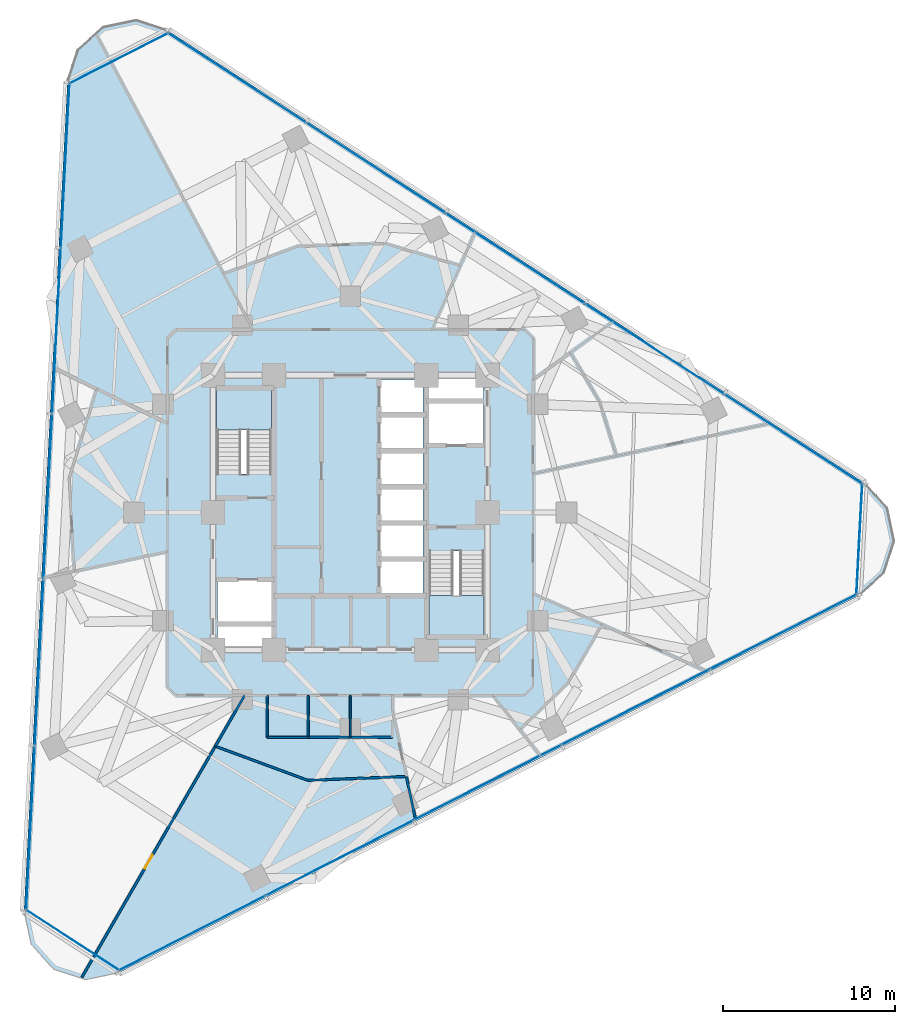
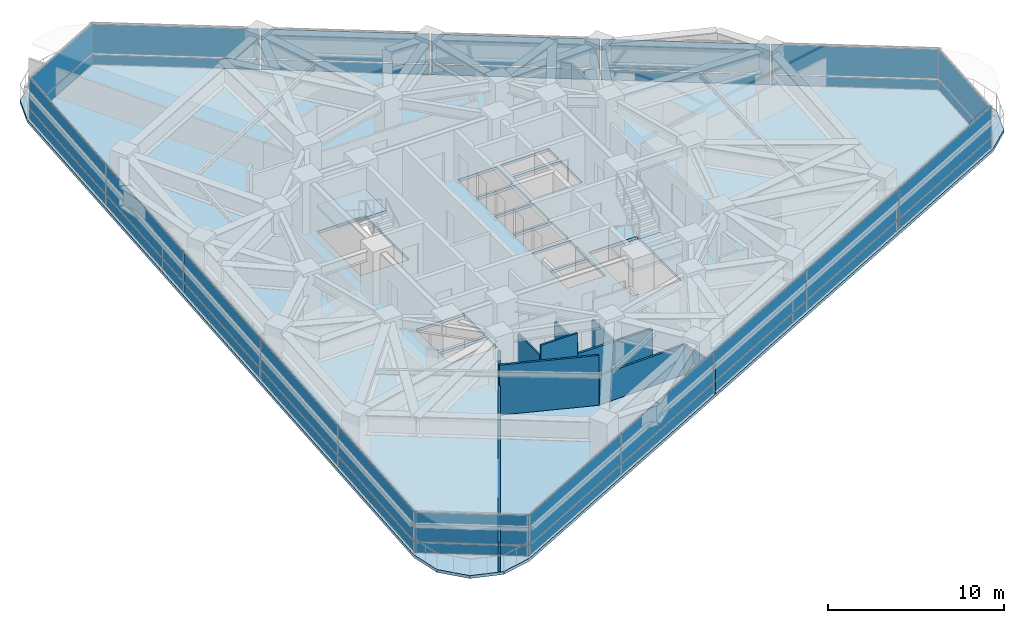
# One storey, part 8 of 15: 36 plates, 11 walls, 3 slabs, 1 door, 1 opening, 8 elements without a shape of their own.
"""IFC4 building model written with IfcOpenShell, lengths in metres."""

from ifc_helpers import new_model, si_unit, direction, frame, frame_2d, origin, origin_2d, place, context, subcontext, project, spatial, polyline, rectangle, outline, extrude, material, layer, layer_set, type_object, element, fill, aggregate, save


model = new_model("IFC4")

# Units and contexts
model_context = context("Model", 3, precision=1e-05, world=origin(), true_north=direction((0.0, 1.0)))
body_context = subcontext(model_context, "Body", "Model", "MODEL_VIEW")
ifc_project = project(units=[si_unit("LENGTHUNIT", "METRE"), si_unit("AREAUNIT", "SQUARE_METRE"), si_unit("VOLUMEUNIT", "CUBIC_METRE"), si_unit("PLANEANGLEUNIT", "RADIAN"), si_unit("MASSUNIT", "GRAM", prefix="KILO")], contexts=[model_context])

# Site, building, storey
site_placement = place(None, origin())
site = spatial("IfcSite", under=ifc_project, at=site_placement, CompositionType="ELEMENT")
building_placement = place(site_placement, origin())
building = spatial("IfcBuilding", under=site, at=building_placement, Name="Terralouvre Media Tower", CompositionType="ELEMENT")
storey_placement = place(building_placement, frame((0.0, 0.0, 145.800048828125)))
storey = spatial("IfcBuildingStorey", under=building, at=storey_placement, Name="L37", CompositionType="ELEMENT", Elevation=145.800048828125)

# Slab
ifc_material_1 = material(Name="Concrete C40/50", Category="concrete")
ifc_layer_1 = layer(ifc_material_1, 0.199951171875, Name="Composite Tower Floor Slab S-TYP200")
ifc_layer_set_1 = layer_set([ifc_layer_1], Name="Concrete C40/50")
slab_type_1 = type_object("IfcSlabType", Name="Composite Tower Floor Slab S-TYP200", PredefinedType="FLOOR", material=ifc_layer_set_1)
slab_1_placement = place(storey_placement, frame((0.0, 0.0, -0.199951171875), z_axis=(0.0, 0.0, 1.0), x_axis=(0.891006524188, 0.45399049974, 0.0)))
element("IfcSlab", 1, at=slab_1_placement, inside=storey, type_object=slab_type_1, Name="L37 Structural Floor Slab", PredefinedType="FLOOR", context=body_context, shape_type="SweptSolid", body=[
    extrude(outline(polyline([(-27.490966796875, -12.07177734375), (-28.0, -13.971923828125), (-27.490966796875, -15.871826171875), (-26.10009765625, -17.2626953125), (-24.199951171875, -17.77197265625), (24.199951171875, -17.77197265625), (26.10009765625, -17.2626953125), (27.490966796875, -15.871826171875), (28.0, -13.971923828125), (27.490966796875, -12.07177734375), (3.291015625, 29.84375), (1.89990234375, 31.234619140625), (0.0, 31.74365234375), (-1.89990234375, 31.234619140625), (-3.291015625, 29.84375), (-27.490966796875, -12.07177734375)]), holes=[polyline([(-7.094970703125, -3.792236328125), (-7.6396484375, -4.861572265625), (-10.446533203125, -3.431396484375), (-9.901611328125, -2.3623046875), (-7.094970703125, -3.792236328125)]), polyline([(-7.004150390625, -3.614013671875), (-9.810791015625, -2.18408203125), (-8.698486328125, -0.0009765625), (-5.891845703125, -1.43115234375), (-7.004150390625, -3.614013671875)]), polyline([(4.504150390625, -0.521728515625), (2.276611328125, 0.61328125), (3.1572265625, 2.341796875), (5.384765625, 1.206787109375), (4.504150390625, -0.521728515625)]), polyline([(6.338134765625, 3.077880859375), (5.45751953125, 1.349365234375), (3.22998046875, 2.484375), (4.110595703125, 4.212890625), (6.338134765625, 3.077880859375)]), polyline([(-3.079345703125, 4.088623046875), (-5.912841796875, 5.532470703125), (-3.635986328125, 10.000732421875), (-0.802734375, 8.55712890625), (-3.079345703125, 4.088623046875)]), polyline([(6.410888671875, 3.220458984375), (4.183349609375, 4.35546875), (5.06396484375, 6.083984375), (7.29150390625, 4.94921875), (6.410888671875, 3.220458984375)]), polyline([(0.802734375, -8.55712890625), (3.079345703125, -4.088623046875), (5.912841796875, -5.532470703125), (3.635986328125, -10.000732421875), (0.802734375, -8.55712890625)]), polyline([(1.64404296875, -6.135009765625), (-0.58349609375, -5.0), (0.297119140625, -3.271484375), (2.524658203125, -4.406494140625), (1.64404296875, -6.135009765625)]), polyline([(2.597412109375, -4.263916015625), (0.369873046875, -3.12890625), (1.25048828125, -1.400390625), (3.47802734375, -2.535400390625), (2.597412109375, -4.263916015625)]), polyline([(4.431396484375, -0.664306640625), (3.55078125, -2.392822265625), (1.3232421875, -1.2578125), (2.203857421875, 0.470703125), (4.431396484375, -0.664306640625)]), polyline([(8.698486328125, 0.0009765625), (5.891845703125, 1.43115234375), (7.004150390625, 3.614013671875), (9.810791015625, 2.18408203125), (8.698486328125, 0.0009765625)]), polyline([(9.901611328125, 2.3623046875), (7.094970703125, 3.792236328125), (7.6396484375, 4.861572265625), (10.446533203125, 3.431396484375), (9.901611328125, 2.3623046875)])]), origin(), (0.0, 0.0, 1.0), 0.199951171875),
])

# Stair, slab
ifc_material_2 = material(Name="Concrete C45/55", Category="concrete")
stair_type_1 = type_object("IfcStairType", Name="Dogleg Stair Assembly ST-01", PredefinedType="HALF_TURN_STAIR", material=ifc_material_2)
stair_1_placement = place(storey_placement, origin())
stair_1 = element("IfcStair", 2, at=stair_1_placement, inside=storey, type_object=stair_type_1, Name="L37 Core Pressurised Exit Stair ST-01", PredefinedType="HALF_TURN_STAIR")
ifc_material_3 = material(Name="Concrete C45/55", Category="concrete")
ifc_layer_2 = layer(ifc_material_3, 0.199951171875, Name="Reinforced Concrete Stair Half-Landing SL-LD1")
ifc_layer_set_2 = layer_set([ifc_layer_2], Name="Concrete C45/55")
slab_type_2 = type_object("IfcSlabType", Name="Reinforced Concrete Stair Half-Landing SL-LD1", PredefinedType="LANDING", material=ifc_layer_set_2)
slab_2_placement = place(storey_placement, frame((0.0, 0.0, 1.64990234375)))
slab_2 = element("IfcSlab", 3, at=slab_2_placement, type_object=slab_type_2, Name="ST-01 landing 1", PredefinedType="LANDING", context=body_context, shape_type="SweptSolid", body=[
    extrude(outline(polyline([(-4.60009765625, 4.820068359375), (-4.60009765625, 7.260009765625), (-7.780029296875, 7.260009765625), (-7.780029296875, 4.820068359375), (-4.60009765625, 4.820068359375)])), origin(), (0.0, 0.0, 1.0), 0.199951171875),
])
aggregate(stair_1, [slab_2])

ifc_material_4 = material(Name="Concrete C45/55", Category="concrete")
stair_type_2 = type_object("IfcStairType", Name="Dogleg Stair Assembly ST-02", PredefinedType="HALF_TURN_STAIR", material=ifc_material_4)
stair_2_placement = place(storey_placement, origin())
stair_2 = element("IfcStair", 4, at=stair_2_placement, inside=storey, type_object=stair_type_2, Name="L37 Core Pressurised Exit Stair ST-02", PredefinedType="HALF_TURN_STAIR")
slab_3_placement = place(storey_placement, frame((0.0, 0.0, 1.64990234375)))
slab_3 = element("IfcSlab", 5, at=slab_3_placement, type_object=slab_type_2, Name="ST-02 landing 1", PredefinedType="LANDING", context=body_context, shape_type="SweptSolid", body=[
    extrude(outline(polyline([(4.60009765625, -4.820068359375), (4.60009765625, -7.260009765625), (7.780029296875, -7.260009765625), (7.780029296875, -4.820068359375), (4.60009765625, -4.820068359375)])), origin(), (0.0, 0.0, 1.0), 0.199951171875),
])
aggregate(stair_2, [slab_3])

# Curtain wall, plates
ifc_material_5 = material(Name="Low-iron laminated double glazing with solar-control coating", Category="glass")
ifc_layer_3 = layer(ifc_material_5, 0.1650390625, Name="Rounded Wind-Corner Curved Glazing CW-04")
ifc_layer_set_3 = layer_set([ifc_layer_3], Name="Low-iron laminated double glazing with solar-control coating")
curtain_wall_type_1 = type_object("IfcCurtainWallType", Name="Rounded Wind-Corner Curved Glazing CW-04", PredefinedType="NOTDEFINED", material=ifc_layer_set_3)
curtain_wall_1_placement = place(storey_placement, origin())
curtain_wall_1 = element("IfcCurtainWall", 6, at=curtain_wall_1_placement, inside=storey, type_object=curtain_wall_type_1, Name="L37 Rounded Wind-Corner Curtain Wall C0", PredefinedType="NOTDEFINED")
ifc_material_6 = material(Name="Low-iron laminated double glazing with solar-control coating", Category="glass")
ifc_layer_4 = layer(ifc_material_6, 0.0400390625, Name="Rounded Corner Laminated Vision Panel CWP-03")
ifc_layer_set_4 = layer_set([ifc_layer_4], Name="Low-iron laminated double glazing with solar-control coating")
plate_type_1 = type_object("IfcPlateType", Name="Rounded Corner Laminated Vision Panel CWP-03", PredefinedType="CURTAIN_PANEL", material=ifc_layer_set_4)
plate_1_placement = place(storey_placement, frame((-16.177734375, -24.91162109375, 0.074951171875), z_axis=(0.0, 0.0, 1.0), x_axis=(0.838670390568, -0.544639308152, 0.0)))
plate_1 = element("IfcPlate", 7, at=plate_1_placement, type_object=plate_type_1, Name="CW-04 panel 1.1", PredefinedType="CURTAIN_PANEL", context=body_context, shape_type="SweptSolid", body=[
    extrude(rectangle(XDim=6.431884765625, YDim=0.035888671875, at=origin_2d()), origin(), (0.0, 0.0, 1.0), 0.6875),
])
plate_2_placement = place(storey_placement, frame((-16.177734375, -24.91162109375, 0.83740234375), z_axis=(0.0, 0.0, 1.0), x_axis=(0.838670390568, -0.544639308152, 0.0)))
plate_2 = element("IfcPlate", 8, at=plate_2_placement, type_object=plate_type_1, Name="CW-04 panel 1.2", PredefinedType="CURTAIN_PANEL", context=body_context, shape_type="SweptSolid", body=[
    extrude(rectangle(XDim=6.431884765625, YDim=0.035888671875, at=origin_2d()), origin(), (0.0, 0.0, 1.0), 2.047607421875),
])
aggregate(curtain_wall_1, [plate_1, plate_2])

curtain_wall_2_placement = place(storey_placement, origin())
curtain_wall_2 = element("IfcCurtainWall", 9, at=curtain_wall_2_placement, inside=storey, type_object=curtain_wall_type_1, Name="L37 Rounded Wind-Corner Curtain Wall C1", PredefinedType="NOTDEFINED")
plate_3_placement = place(storey_placement, frame((29.6630859375, -1.5546875, 0.074951171875), z_axis=(0.0, 0.0, 1.0), x_axis=(0.052336823006, 0.998629489329, 0.0)))
plate_3 = element("IfcPlate", 10, at=plate_3_placement, type_object=plate_type_1, Name="CW-04 panel 1.1", PredefinedType="CURTAIN_PANEL", context=body_context, shape_type="SweptSolid", body=[
    extrude(rectangle(XDim=6.431884765625, YDim=0.035888671875, at=origin_2d()), origin(), (0.0, 0.0, 1.0), 0.6875),
])
plate_4_placement = place(storey_placement, frame((29.6630859375, -1.5546875, 0.83740234375), z_axis=(0.0, 0.0, 1.0), x_axis=(0.052336823006, 0.998629489329, 0.0)))
plate_4 = element("IfcPlate", 11, at=plate_4_placement, type_object=plate_type_1, Name="CW-04 panel 1.2", PredefinedType="CURTAIN_PANEL", context=body_context, shape_type="SweptSolid", body=[
    extrude(rectangle(XDim=6.431884765625, YDim=0.035888671875, at=origin_2d()), origin(), (0.0, 0.0, 1.0), 2.047607421875),
])
aggregate(curtain_wall_2, [plate_3, plate_4])

curtain_wall_3_placement = place(storey_placement, origin())
curtain_wall_3 = element("IfcCurtainWall", 12, at=curtain_wall_3_placement, inside=storey, type_object=curtain_wall_type_1, Name="L37 Rounded Wind-Corner Curtain Wall C2", PredefinedType="NOTDEFINED")
plate_5_placement = place(storey_placement, frame((-13.485107421875, 26.46630859375, 0.074951171875), z_axis=(0.0, 0.0, 1.0), x_axis=(-0.891006600184, -0.45399035059, 0.0)))
plate_5 = element("IfcPlate", 13, at=plate_5_placement, type_object=plate_type_1, Name="CW-04 panel 1.1", PredefinedType="CURTAIN_PANEL", context=body_context, shape_type="SweptSolid", body=[
    extrude(rectangle(XDim=6.431884765625, YDim=0.035888671875, at=origin_2d()), origin(), (0.0, 0.0, 1.0), 0.6875),
])
plate_6_placement = place(storey_placement, frame((-13.485107421875, 26.46630859375, 0.83740234375), z_axis=(0.0, 0.0, 1.0), x_axis=(-0.891006600184, -0.45399035059, 0.0)))
plate_6 = element("IfcPlate", 14, at=plate_6_placement, type_object=plate_type_1, Name="CW-04 panel 1.2", PredefinedType="CURTAIN_PANEL", context=body_context, shape_type="SweptSolid", body=[
    extrude(rectangle(XDim=6.431884765625, YDim=0.035888671875, at=origin_2d()), origin(), (0.0, 0.0, 1.0), 2.047607421875),
])
aggregate(curtain_wall_3, [plate_5, plate_6])

ifc_material_7 = material(Name="Low-iron laminated double glazing with solar-control coating", Category="glass")
ifc_layer_5 = layer(ifc_material_7, 0.1650390625, Name="Production Studio Tower Curtain Wall CW-03")
ifc_layer_set_5 = layer_set([ifc_layer_5], Name="Low-iron laminated double glazing with solar-control coating")
curtain_wall_type_2 = type_object("IfcCurtainWallType", Name="Production Studio Tower Curtain Wall CW-03", PredefinedType="NOTDEFINED", material=ifc_layer_set_5)
curtain_wall_4_placement = place(storey_placement, origin())
curtain_wall_4 = element("IfcCurtainWall", 15, at=curtain_wall_4_placement, inside=storey, type_object=curtain_wall_type_2, Name="L37 Facade Curtain Wall F0", PredefinedType="NOTDEFINED")
ifc_material_8 = material(Name="Low-iron laminated double glazing with solar-control coating", Category="glass")
ifc_layer_6 = layer(ifc_material_8, 0.035888671875, Name="Vision Double-Glazed Unit CWP-01")
ifc_layer_set_6 = layer_set([ifc_layer_6], Name="Low-iron laminated double glazing with solar-control coating")
plate_type_2 = type_object("IfcPlateType", Name="Vision Double-Glazed Unit CWP-01", PredefinedType="CURTAIN_PANEL", material=ifc_layer_set_6)
plate_7_placement = place(storey_placement, frame((-9.219482421875, -24.5087890625, 0.074951171875), z_axis=(0.0, 0.0, 1.0), x_axis=(0.891006501178, 0.4539905449, 0.0)))
plate_7 = element("IfcPlate", 16, at=plate_7_placement, type_object=plate_type_2, Name="CW-03 panel 1.1", PredefinedType="CURTAIN_PANEL", context=body_context, shape_type="SweptSolid", body=[
    extrude(rectangle(XDim=9.5673828125, YDim=0.035888671875, at=origin_2d()), origin(), (0.0, 0.0, 1.0), 0.6875),
])
plate_8_placement = place(storey_placement, frame((-9.219482421875, -24.5087890625, 0.83740234375), z_axis=(0.0, 0.0, 1.0), x_axis=(0.891006501178, 0.4539905449, 0.0)))
plate_8 = element("IfcPlate", 17, at=plate_8_placement, type_object=plate_type_2, Name="CW-03 panel 1.2", PredefinedType="CURTAIN_PANEL", context=body_context, shape_type="SweptSolid", body=[
    extrude(rectangle(XDim=9.5673828125, YDim=0.035888671875, at=origin_2d()), origin(), (0.0, 0.0, 1.0), 2.047607421875),
])
plate_9_placement = place(storey_placement, frame((-0.611083984375, -20.12255859375, 0.074951171875), z_axis=(0.0, 0.0, 1.0), x_axis=(0.891006501178, 0.4539905449, 0.0)))
plate_9 = element("IfcPlate", 18, at=plate_9_placement, type_object=plate_type_2, Name="CW-03 panel 2.1", PredefinedType="CURTAIN_PANEL", context=body_context, shape_type="SweptSolid", body=[
    extrude(rectangle(XDim=9.60498046875, YDim=0.035888671875, at=origin_2d()), origin(), (0.0, 0.0, 1.0), 0.6875),
])
plate_10_placement = place(storey_placement, frame((-0.611083984375, -20.12255859375, 0.83740234375), z_axis=(0.0, 0.0, 1.0), x_axis=(0.891006501178, 0.4539905449, 0.0)))
plate_10 = element("IfcPlate", 19, at=plate_10_placement, type_object=plate_type_2, Name="CW-03 panel 2.2", PredefinedType="CURTAIN_PANEL", context=body_context, shape_type="SweptSolid", body=[
    extrude(rectangle(XDim=9.60498046875, YDim=0.035888671875, at=origin_2d()), origin(), (0.0, 0.0, 1.0), 2.047607421875),
])
plate_11_placement = place(storey_placement, frame((8.013671875, -15.72802734375, 0.074951171875), z_axis=(0.0, 0.0, 1.0), x_axis=(0.891006501178, 0.4539905449, 0.0)))
plate_11 = element("IfcPlate", 20, at=plate_11_placement, type_object=plate_type_2, Name="CW-03 panel 3.1", PredefinedType="CURTAIN_PANEL", context=body_context, shape_type="SweptSolid", body=[
    extrude(rectangle(XDim=9.60498046875, YDim=0.035888671875, at=origin_2d()), origin(), (0.0, 0.0, 1.0), 0.6875),
])
plate_12_placement = place(storey_placement, frame((8.013671875, -15.72802734375, 0.83740234375), z_axis=(0.0, 0.0, 1.0), x_axis=(0.891006501178, 0.4539905449, 0.0)))
plate_12 = element("IfcPlate", 21, at=plate_12_placement, type_object=plate_type_2, Name="CW-03 panel 3.2", PredefinedType="CURTAIN_PANEL", context=body_context, shape_type="SweptSolid", body=[
    extrude(rectangle(XDim=9.60498046875, YDim=0.035888671875, at=origin_2d()), origin(), (0.0, 0.0, 1.0), 2.047607421875),
])
plate_13_placement = place(storey_placement, frame((16.638671875, -11.333251953125, 0.074951171875), z_axis=(0.0, 0.0, 1.0), x_axis=(0.891006501178, 0.4539905449, 0.0)))
plate_13 = element("IfcPlate", 22, at=plate_13_placement, type_object=plate_type_2, Name="CW-03 panel 4.1", PredefinedType="CURTAIN_PANEL", context=body_context, shape_type="SweptSolid", body=[
    extrude(rectangle(XDim=9.60498046875, YDim=0.035888671875, at=origin_2d()), origin(), (0.0, 0.0, 1.0), 0.6875),
])
plate_14_placement = place(storey_placement, frame((16.638671875, -11.333251953125, 0.83740234375), z_axis=(0.0, 0.0, 1.0), x_axis=(0.891006501178, 0.4539905449, 0.0)))
plate_14 = element("IfcPlate", 23, at=plate_14_placement, type_object=plate_type_2, Name="CW-03 panel 4.2", PredefinedType="CURTAIN_PANEL", context=body_context, shape_type="SweptSolid", body=[
    extrude(rectangle(XDim=9.60498046875, YDim=0.035888671875, at=origin_2d()), origin(), (0.0, 0.0, 1.0), 2.047607421875),
])
plate_15_placement = place(storey_placement, frame((25.2470703125, -6.947265625, 0.074951171875), z_axis=(0.0, 0.0, 1.0), x_axis=(0.891006501178, 0.4539905449, 0.0)))
plate_15 = element("IfcPlate", 24, at=plate_15_placement, type_object=plate_type_2, Name="CW-03 panel 5.1", PredefinedType="CURTAIN_PANEL", context=body_context, shape_type="SweptSolid", body=[
    extrude(rectangle(XDim=9.5673828125, YDim=0.035888671875, at=origin_2d()), origin(), (0.0, 0.0, 1.0), 0.6875),
])
plate_16_placement = place(storey_placement, frame((25.2470703125, -6.947265625, 0.83740234375), z_axis=(0.0, 0.0, 1.0), x_axis=(0.891006501178, 0.4539905449, 0.0)))
plate_16 = element("IfcPlate", 25, at=plate_16_placement, type_object=plate_type_2, Name="CW-03 panel 5.2", PredefinedType="CURTAIN_PANEL", context=body_context, shape_type="SweptSolid", body=[
    extrude(rectangle(XDim=9.5673828125, YDim=0.035888671875, at=origin_2d()), origin(), (0.0, 0.0, 1.0), 2.047607421875),
])
aggregate(curtain_wall_4, [plate_7, plate_8, plate_9, plate_10, plate_11, plate_12, plate_13, plate_14, plate_15, plate_16])

curtain_wall_5_placement = place(storey_placement, origin())
curtain_wall_5 = element("IfcCurtainWall", 26, at=curtain_wall_5_placement, inside=storey, type_object=curtain_wall_type_2, Name="L37 Facade Curtain Wall F1", PredefinedType="NOTDEFINED")
plate_17_placement = place(storey_placement, frame((25.8349609375, 4.27001953125, 0.074951171875), z_axis=(0.0, 0.0, 1.0), x_axis=(-0.838670588944, 0.544639002681, 0.0)))
plate_17 = element("IfcPlate", 27, at=plate_17_placement, type_object=plate_type_2, Name="CW-03 panel 1.1", PredefinedType="CURTAIN_PANEL", context=body_context, shape_type="SweptSolid", body=[
    extrude(rectangle(XDim=9.5673828125, YDim=0.035888671875, at=origin_2d()), origin(), (0.0, 0.0, 1.0), 0.6875),
])
plate_18_placement = place(storey_placement, frame((25.8349609375, 4.27001953125, 0.83740234375), z_axis=(0.0, 0.0, 1.0), x_axis=(-0.838670588944, 0.544639002681, 0.0)))
plate_18 = element("IfcPlate", 28, at=plate_18_placement, type_object=plate_type_2, Name="CW-03 panel 1.2", PredefinedType="CURTAIN_PANEL", context=body_context, shape_type="SweptSolid", body=[
    extrude(rectangle(XDim=9.5673828125, YDim=0.035888671875, at=origin_2d()), origin(), (0.0, 0.0, 1.0), 2.047607421875),
])
plate_19_placement = place(storey_placement, frame((17.732177734375, 9.531982421875, 0.074951171875), z_axis=(0.0, 0.0, 1.0), x_axis=(-0.838670588944, 0.544639002681, 0.0)))
plate_19 = element("IfcPlate", 29, at=plate_19_placement, type_object=plate_type_2, Name="CW-03 panel 2.1", PredefinedType="CURTAIN_PANEL", context=body_context, shape_type="SweptSolid", body=[
    extrude(rectangle(XDim=9.60498046875, YDim=0.035888671875, at=origin_2d()), origin(), (0.0, 0.0, 1.0), 0.6875),
])
plate_20_placement = place(storey_placement, frame((17.732177734375, 9.531982421875, 0.83740234375), z_axis=(0.0, 0.0, 1.0), x_axis=(-0.838670588944, 0.544639002681, 0.0)))
plate_20 = element("IfcPlate", 30, at=plate_20_placement, type_object=plate_type_2, Name="CW-03 panel 2.2", PredefinedType="CURTAIN_PANEL", context=body_context, shape_type="SweptSolid", body=[
    extrude(rectangle(XDim=9.60498046875, YDim=0.035888671875, at=origin_2d()), origin(), (0.0, 0.0, 1.0), 2.047607421875),
])
plate_21_placement = place(storey_placement, frame((9.614013671875, 14.80419921875, 0.074951171875), z_axis=(0.0, 0.0, 1.0), x_axis=(-0.838670588944, 0.544639002681, 0.0)))
plate_21 = element("IfcPlate", 31, at=plate_21_placement, type_object=plate_type_2, Name="CW-03 panel 3.1", PredefinedType="CURTAIN_PANEL", context=body_context, shape_type="SweptSolid", body=[
    extrude(rectangle(XDim=9.60498046875, YDim=0.035888671875, at=origin_2d()), origin(), (0.0, 0.0, 1.0), 0.6875),
])
plate_22_placement = place(storey_placement, frame((9.614013671875, 14.80419921875, 0.83740234375), z_axis=(0.0, 0.0, 1.0), x_axis=(-0.838670588944, 0.544639002681, 0.0)))
plate_22 = element("IfcPlate", 32, at=plate_22_placement, type_object=plate_type_2, Name="CW-03 panel 3.2", PredefinedType="CURTAIN_PANEL", context=body_context, shape_type="SweptSolid", body=[
    extrude(rectangle(XDim=9.60498046875, YDim=0.035888671875, at=origin_2d()), origin(), (0.0, 0.0, 1.0), 2.047607421875),
])
plate_23_placement = place(storey_placement, frame((1.49560546875, 20.076171875, 0.074951171875), z_axis=(0.0, 0.0, 1.0), x_axis=(-0.838670588944, 0.544639002681, 0.0)))
plate_23 = element("IfcPlate", 33, at=plate_23_placement, type_object=plate_type_2, Name="CW-03 panel 4.1", PredefinedType="CURTAIN_PANEL", context=body_context, shape_type="SweptSolid", body=[
    extrude(rectangle(XDim=9.60498046875, YDim=0.035888671875, at=origin_2d()), origin(), (0.0, 0.0, 1.0), 0.6875),
])
plate_24_placement = place(storey_placement, frame((1.49560546875, 20.076171875, 0.83740234375), z_axis=(0.0, 0.0, 1.0), x_axis=(-0.838670588944, 0.544639002681, 0.0)))
plate_24 = element("IfcPlate", 34, at=plate_24_placement, type_object=plate_type_2, Name="CW-03 panel 4.2", PredefinedType="CURTAIN_PANEL", context=body_context, shape_type="SweptSolid", body=[
    extrude(rectangle(XDim=9.60498046875, YDim=0.035888671875, at=origin_2d()), origin(), (0.0, 0.0, 1.0), 2.047607421875),
])
plate_25_placement = place(storey_placement, frame((-6.60693359375, 25.338134765625, 0.074951171875), z_axis=(0.0, 0.0, 1.0), x_axis=(-0.838670588944, 0.544639002681, 0.0)))
plate_25 = element("IfcPlate", 35, at=plate_25_placement, type_object=plate_type_2, Name="CW-03 panel 5.1", PredefinedType="CURTAIN_PANEL", context=body_context, shape_type="SweptSolid", body=[
    extrude(rectangle(XDim=9.5673828125, YDim=0.035888671875, at=origin_2d()), origin(), (0.0, 0.0, 1.0), 0.6875),
])
plate_26_placement = place(storey_placement, frame((-6.60693359375, 25.338134765625, 0.83740234375), z_axis=(0.0, 0.0, 1.0), x_axis=(-0.838670588944, 0.544639002681, 0.0)))
plate_26 = element("IfcPlate", 36, at=plate_26_placement, type_object=plate_type_2, Name="CW-03 panel 5.2", PredefinedType="CURTAIN_PANEL", context=body_context, shape_type="SweptSolid", body=[
    extrude(rectangle(XDim=9.5673828125, YDim=0.035888671875, at=origin_2d()), origin(), (0.0, 0.0, 1.0), 2.047607421875),
])
aggregate(curtain_wall_5, [plate_17, plate_18, plate_19, plate_20, plate_21, plate_22, plate_23, plate_24, plate_25, plate_26])

curtain_wall_6_placement = place(storey_placement, origin())
curtain_wall_6 = element("IfcCurtainWall", 37, at=curtain_wall_6_placement, inside=storey, type_object=curtain_wall_type_2, Name="L37 Facade Curtain Wall F2", PredefinedType="NOTDEFINED")
plate_27_placement = place(storey_placement, frame((-16.615478515625, 20.238525390625, 0.074951171875), z_axis=(0.0, 0.0, 1.0), x_axis=(-0.052335949864, -0.998629535089, 0.0)))
plate_27 = element("IfcPlate", 38, at=plate_27_placement, type_object=plate_type_2, Name="CW-03 panel 1.1", PredefinedType="CURTAIN_PANEL", context=body_context, shape_type="SweptSolid", body=[
    extrude(rectangle(XDim=9.5673828125, YDim=0.035888671875, at=origin_2d()), origin(), (0.0, 0.0, 1.0), 0.6875),
])
plate_28_placement = place(storey_placement, frame((-16.615478515625, 20.238525390625, 0.83740234375), z_axis=(0.0, 0.0, 1.0), x_axis=(-0.052335949864, -0.998629535089, 0.0)))
plate_28 = element("IfcPlate", 39, at=plate_28_placement, type_object=plate_type_2, Name="CW-03 panel 1.2", PredefinedType="CURTAIN_PANEL", context=body_context, shape_type="SweptSolid", body=[
    extrude(rectangle(XDim=9.5673828125, YDim=0.035888671875, at=origin_2d()), origin(), (0.0, 0.0, 1.0), 2.047607421875),
])
plate_29_placement = place(storey_placement, frame((-17.12109375, 10.590576171875, 0.074951171875), z_axis=(0.0, 0.0, 1.0), x_axis=(-0.052335949864, -0.998629535089, 0.0)))
plate_29 = element("IfcPlate", 40, at=plate_29_placement, type_object=plate_type_2, Name="CW-03 panel 2.1", PredefinedType="CURTAIN_PANEL", context=body_context, shape_type="SweptSolid", body=[
    extrude(rectangle(XDim=9.60498046875, YDim=0.035888671875, at=origin_2d()), origin(), (0.0, 0.0, 1.0), 0.6875),
])
plate_30_placement = place(storey_placement, frame((-17.12109375, 10.590576171875, 0.83740234375), z_axis=(0.0, 0.0, 1.0), x_axis=(-0.052335949864, -0.998629535089, 0.0)))
plate_30 = element("IfcPlate", 41, at=plate_30_placement, type_object=plate_type_2, Name="CW-03 panel 2.2", PredefinedType="CURTAIN_PANEL", context=body_context, shape_type="SweptSolid", body=[
    extrude(rectangle(XDim=9.60498046875, YDim=0.035888671875, at=origin_2d()), origin(), (0.0, 0.0, 1.0), 2.047607421875),
])
plate_31_placement = place(storey_placement, frame((-17.627685546875, 0.923828125, 0.074951171875), z_axis=(0.0, 0.0, 1.0), x_axis=(-0.052335949864, -0.998629535089, 0.0)))
plate_31 = element("IfcPlate", 42, at=plate_31_placement, type_object=plate_type_2, Name="CW-03 panel 3.1", PredefinedType="CURTAIN_PANEL", context=body_context, shape_type="SweptSolid", body=[
    extrude(rectangle(XDim=9.60498046875, YDim=0.035888671875, at=origin_2d()), origin(), (0.0, 0.0, 1.0), 0.6875),
])
plate_32_placement = place(storey_placement, frame((-17.627685546875, 0.923828125, 0.83740234375), z_axis=(0.0, 0.0, 1.0), x_axis=(-0.052335949864, -0.998629535089, 0.0)))
plate_32 = element("IfcPlate", 43, at=plate_32_placement, type_object=plate_type_2, Name="CW-03 panel 3.2", PredefinedType="CURTAIN_PANEL", context=body_context, shape_type="SweptSolid", body=[
    extrude(rectangle(XDim=9.60498046875, YDim=0.035888671875, at=origin_2d()), origin(), (0.0, 0.0, 1.0), 2.047607421875),
])
plate_33_placement = place(storey_placement, frame((-18.13427734375, -8.742919921875, 0.074951171875), z_axis=(0.0, 0.0, 1.0), x_axis=(-0.052335949864, -0.998629535089, 0.0)))
plate_33 = element("IfcPlate", 44, at=plate_33_placement, type_object=plate_type_2, Name="CW-03 panel 4.1", PredefinedType="CURTAIN_PANEL", context=body_context, shape_type="SweptSolid", body=[
    extrude(rectangle(XDim=9.60498046875, YDim=0.035888671875, at=origin_2d()), origin(), (0.0, 0.0, 1.0), 0.6875),
])
plate_34_placement = place(storey_placement, frame((-18.13427734375, -8.742919921875, 0.83740234375), z_axis=(0.0, 0.0, 1.0), x_axis=(-0.052335949864, -0.998629535089, 0.0)))
plate_34 = element("IfcPlate", 45, at=plate_34_placement, type_object=plate_type_2, Name="CW-03 panel 4.2", PredefinedType="CURTAIN_PANEL", context=body_context, shape_type="SweptSolid", body=[
    extrude(rectangle(XDim=9.60498046875, YDim=0.035888671875, at=origin_2d()), origin(), (0.0, 0.0, 1.0), 2.047607421875),
])
plate_35_placement = place(storey_placement, frame((-18.639892578125, -18.390869140625, 0.074951171875), z_axis=(0.0, 0.0, 1.0), x_axis=(-0.052335949864, -0.998629535089, 0.0)))
plate_35 = element("IfcPlate", 46, at=plate_35_placement, type_object=plate_type_2, Name="CW-03 panel 5.1", PredefinedType="CURTAIN_PANEL", context=body_context, shape_type="SweptSolid", body=[
    extrude(rectangle(XDim=9.5673828125, YDim=0.035888671875, at=origin_2d()), origin(), (0.0, 0.0, 1.0), 0.6875),
])
plate_36_placement = place(storey_placement, frame((-18.639892578125, -18.390869140625, 0.83740234375), z_axis=(0.0, 0.0, 1.0), x_axis=(-0.052335949864, -0.998629535089, 0.0)))
plate_36 = element("IfcPlate", 47, at=plate_36_placement, type_object=plate_type_2, Name="CW-03 panel 5.2", PredefinedType="CURTAIN_PANEL", context=body_context, shape_type="SweptSolid", body=[
    extrude(rectangle(XDim=9.5673828125, YDim=0.035888671875, at=origin_2d()), origin(), (0.0, 0.0, 1.0), 2.047607421875),
])
aggregate(curtain_wall_6, [plate_27, plate_28, plate_29, plate_30, plate_31, plate_32, plate_33, plate_34, plate_35, plate_36])

# Wall, opening, door
ifc_material_9 = material(Name="Fire-rated gypsum board drywall partition")
ifc_layer_7 = layer(ifc_material_9, 0.135009765625, Name="Newsroom Acoustic Partition PT-135")
ifc_layer_set_7 = layer_set([ifc_layer_7], Name="Fire-rated gypsum board drywall partition")
wall_type_1 = type_object("IfcWallType", Name="Newsroom Acoustic Partition PT-135", PredefinedType="PARTITIONING", material=ifc_layer_set_7)
wall_1_placement = place(storey_placement, frame((-15.632568359375, -27.07666015625, 0.0), z_axis=(0.0, 0.0, 1.0), x_axis=(0.499977642092, 0.866038311744, 0.0)))
wall_1 = element("IfcWall", 48, at=wall_1_placement, inside=storey, type_object=wall_type_1, Name="L37 Interior Partition 022", PredefinedType="PARTITIONING", context=body_context, shape_type="SweptSolid", body=[
    extrude(rectangle(XDim=15.541748046875, YDim=0.135009765625, at=frame_2d((7.77099609375, 0.0))), origin(), (0.0, 0.0, 1.0), 2.044921875),
])
opening_placement = place(wall_1_placement, frame((7.310791015625, 0.0, 0.0)))
opening = element("IfcOpeningElement", 49, at=opening_placement, cuts=wall_1, Name="Opening ID-03", PredefinedType="OPENING", context=body_context, shape_type="SweptSolid", body=[
    extrude(rectangle(XDim=0.919921875, YDim=2.0, at=frame_2d((0.4599609375, 1.0))), frame((0.0, 0.077392578125, 0.0), z_axis=(0.0, -1.0, 0.0), x_axis=(1.0, 0.0, 0.0)), (0.0, 0.0, 1.0), 0.155029296875),
])
ifc_material_10 = material(Name="Engineered hardwood acoustic timber leaf", Category="wood")
door_type = type_object("IfcDoorType", Name="Accessible Restroom and Suite Door ID-03", OperationType="NOTDEFINED", PredefinedType="DOOR", material=ifc_material_10)
door_placement = place(opening_placement, origin())
door = element("IfcDoor", 50, at=door_placement, inside=storey, type_object=door_type, Name="L37 Press Kit Closet 2 Door", OperationType="SINGLE_SWING_RIGHT", OverallHeight=2.0, OverallWidth=0.919921875, PredefinedType="DOOR", context=body_context, shape_type="SweptSolid", body=[
    extrude(rectangle(XDim=0.919921875, YDim=2.0, at=frame_2d((0.4599609375, 1.0))), frame((0.0, 0.02490234375, 0.0), z_axis=(0.0, -1.0, 0.0), x_axis=(1.0, 0.0, 0.0)), (0.0, 0.0, 1.0), 0.050048828125),
])
fill(opening, door)

# Walls
wall_2_placement = place(storey_placement, frame((-7.862060546875, -13.616943359375, 0.0), z_axis=(0.0, 0.0, 1.0), x_axis=(0.500024700597, 0.866011142419, 0.0)))
element("IfcWall", 51, at=wall_2_placement, inside=storey, type_object=wall_type_1, Name="L37 Interior Partition 023", PredefinedType="PARTITIONING", context=body_context, shape_type="SweptSolid", body=[
    extrude(rectangle(XDim=3.426025390625, YDim=0.135009765625, at=frame_2d((1.712890625, 0.0))), origin(), (0.0, 0.0, 1.0), 2.044921875),
])
wall_3_placement = place(storey_placement, frame((3.26904296875, -15.3798828125, 0.0), z_axis=(0.0, 0.0, 1.0), x_axis=(-0.999232211705, -0.039178911299, 0.0)))
element("IfcWall", 52, at=wall_3_placement, inside=storey, type_object=wall_type_1, Name="L37 Interior Partition 026", PredefinedType="PARTITIONING", context=body_context, shape_type="SweptSolid", body=[
    extrude(rectangle(XDim=5.745361328125, YDim=0.135009765625, at=frame_2d((2.87255859375, 0.0))), origin(), (0.0, 0.0, 1.0), 2.044921875),
])
wall_4_placement = place(storey_placement, frame((-2.471923828125, -15.60498046875, 0.0), z_axis=(0.0, 0.0, 1.0), x_axis=(-0.938218989818, 0.34604208869, 0.0)))
element("IfcWall", 53, at=wall_4_placement, inside=storey, type_object=wall_type_1, Name="L37 Interior Partition 027", PredefinedType="PARTITIONING", context=body_context, shape_type="SweptSolid", body=[
    extrude(rectangle(XDim=5.7451171875, YDim=0.135009765625, at=frame_2d((2.87255859375, 0.0))), origin(), (0.0, 0.0, 1.0), 3.4599609375),
])
wall_5_placement = place(storey_placement, frame((3.8076171875, -17.916015625, 0.0), z_axis=(0.0, 0.0, 1.0), x_axis=(-0.207728113852, 0.978186603218, 0.0)))
element("IfcWall", 54, at=wall_5_placement, inside=storey, type_object=wall_type_1, Name="L37 Interior Partition 028", PredefinedType="PARTITIONING", context=body_context, shape_type="SweptSolid", body=[
    extrude(rectangle(XDim=2.5927734375, YDim=0.135009765625, at=frame_2d((1.29638671875, 0.0))), origin(), (0.0, 0.0, 1.0), 2.044921875),
])
for number, where, z_axis, x_axis, name in (
    (55, (0.0, -13.10009765625, 0.0), (0.0, 0.0, 1.0), (-1.0, 0.0, 0.0), "L37 Interior Partition 032"),
    (56, (2.449951171875, -13.10009765625, 0.0), (0.0, 0.0, 1.0), (-1.0, 0.0, 0.0), "L37 Interior Partition 034"),
):
    element("IfcWall", number, at=place(storey_placement, frame(where, z_axis=z_axis, x_axis=x_axis)), inside=storey, type_object=wall_type_1, Name=name, PredefinedType="PARTITIONING", context=body_context, shape_type="SweptSolid", body=[
        extrude(rectangle(XDim=2.449951171875, YDim=0.135009765625, at=frame_2d((1.22509765625, 0.0))), origin(), (0.0, 0.0, 1.0), 2.044921875),
    ])
ifc_material_11 = material(Name="Fire-rated gypsum board drywall partition")
ifc_layer_8 = layer(ifc_material_11, 0.114990234375, Name="Restroom and Pantry Partition PT-115")
ifc_layer_set_8 = layer_set([ifc_layer_8], Name="Fire-rated gypsum board drywall partition")
wall_type_2 = type_object("IfcWallType", Name="Restroom and Pantry Partition PT-115", PredefinedType="PARTITIONING", material=ifc_layer_set_8)
wall_6_placement = place(storey_placement, frame((-4.85009765625, -10.64990234375, 0.0), z_axis=(0.0, 0.0, 1.0), x_axis=(0.0, -1.0, 0.0)))
element("IfcWall", 57, at=wall_6_placement, inside=storey, type_object=wall_type_2, Name="L37 Interior Partition 029", PredefinedType="PARTITIONING", context=body_context, shape_type="SweptSolid", body=[
    extrude(rectangle(XDim=2.4501953125, YDim=0.114990234375, at=frame_2d((1.22509765625, 0.0))), origin(), (0.0, 0.0, 1.0), 2.744873046875),
])
wall_7_placement = place(storey_placement, frame((-4.85009765625, -13.10009765625, 0.0), z_axis=(0.0, 0.0, 1.0), x_axis=(1.0, 0.0, 0.0)))
element("IfcWall", 58, at=wall_7_placement, inside=storey, type_object=wall_type_2, Name="L37 Interior Partition 030", PredefinedType="PARTITIONING", context=body_context, shape_type="SweptSolid", body=[
    extrude(rectangle(XDim=2.400146484375, YDim=0.114990234375, at=frame_2d((1.2001953125, 0.0))), origin(), (0.0, 0.0, 1.0), 3.4599609375),
])
wall_8_placement = place(storey_placement, frame((-2.449951171875, -13.10009765625, 0.0), z_axis=(0.0, 0.0, 1.0), x_axis=(0.0, 1.0, 0.0)))
element("IfcWall", 59, at=wall_8_placement, inside=storey, type_object=wall_type_2, Name="L37 Interior Partition 031", PredefinedType="PARTITIONING", context=body_context, shape_type="SweptSolid", body=[
    extrude(rectangle(XDim=2.4501953125, YDim=0.114990234375, at=frame_2d((1.22509765625, 0.0))), origin(), (0.0, 0.0, 1.0), 2.744873046875),
])
wall_9_placement = place(storey_placement, frame((0.0, -13.10009765625, 0.0), z_axis=(0.0, 0.0, 1.0), x_axis=(0.0, 1.0, 0.0)))
element("IfcWall", 60, at=wall_9_placement, inside=storey, type_object=wall_type_2, Name="L37 Interior Partition 036", PredefinedType="PARTITIONING", context=body_context, shape_type="SweptSolid", body=[
    extrude(rectangle(XDim=2.4501953125, YDim=0.114990234375, at=frame_2d((1.22509765625, 0.0))), origin(), (0.0, 0.0, 1.0), 2.044921875),
])

save(model, "model.ifc")
